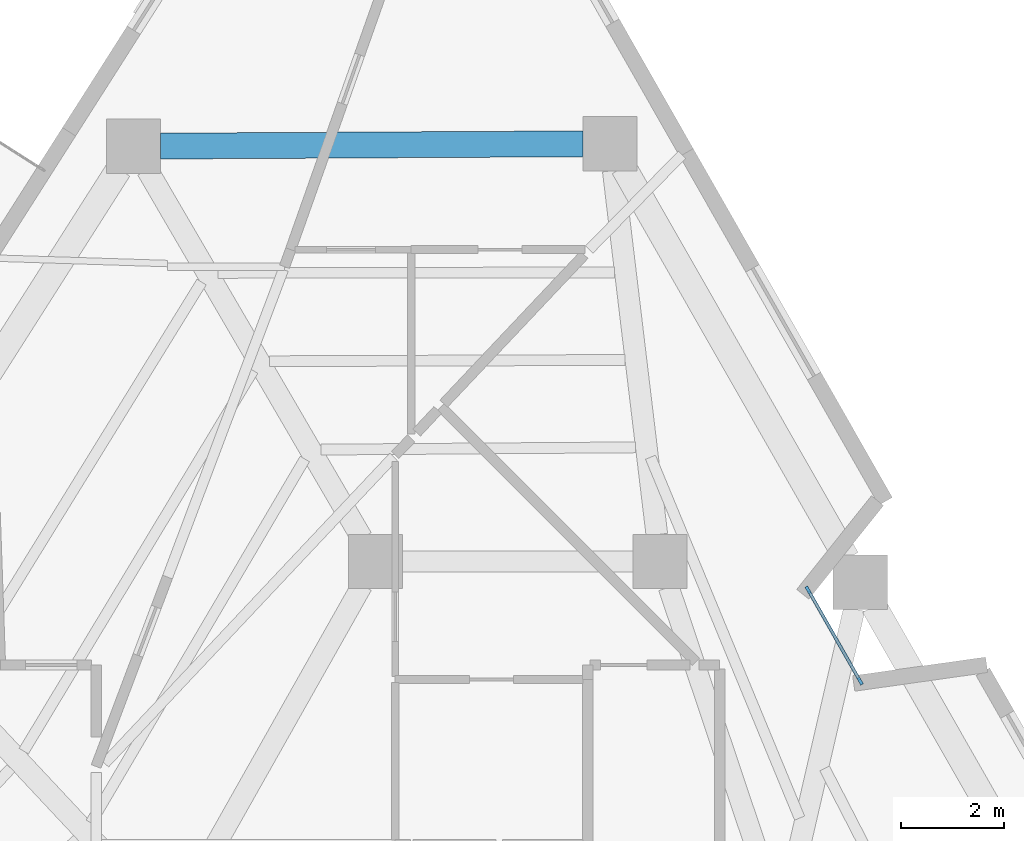
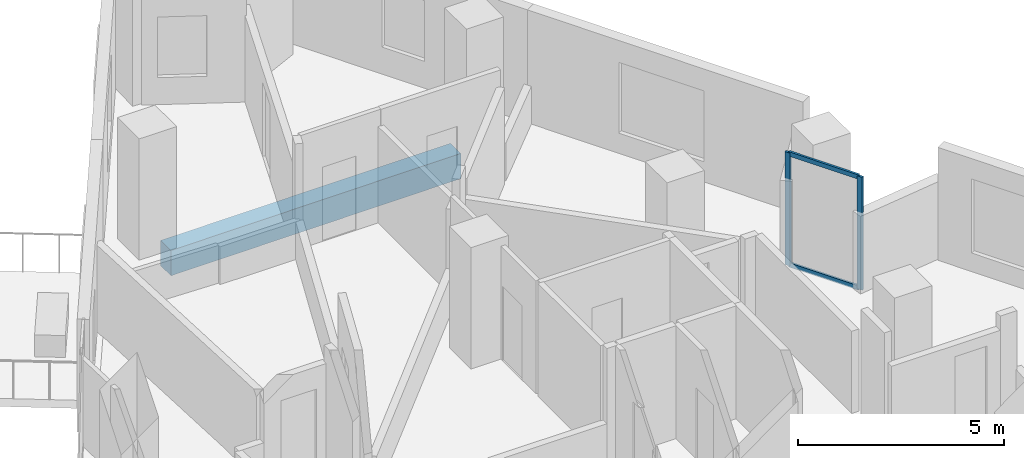
# One storey, part 4 of 11: 4 members, 1 beam, 1 element without a shape of its own.
"""IFC4 building model written with IfcOpenShell, lengths in metres."""

from ifc_helpers import new_model, si_unit, direction, frame, origin, origin_2d, place, context, subcontext, project, spatial, rectangle, extrude, material, layer, layer_set, material_profile, profile_set, type_object, element, aggregate, save


model = new_model("IFC4")

# Units and contexts
model_context = context("Model", 3, precision=1e-05, world=origin(), true_north=direction((0.0, 1.0)))
body_context = subcontext(model_context, "Body", "Model", "MODEL_VIEW")
ifc_project = project(units=[si_unit("LENGTHUNIT", "METRE"), si_unit("AREAUNIT", "SQUARE_METRE"), si_unit("VOLUMEUNIT", "CUBIC_METRE"), si_unit("PLANEANGLEUNIT", "RADIAN"), si_unit("MASSUNIT", "GRAM", prefix="KILO")], contexts=[model_context])

# Site, building, storey
site_placement = place(None, origin())
site = spatial("IfcSite", under=ifc_project, at=site_placement, CompositionType="ELEMENT")
building_placement = place(site_placement, origin())
building = spatial("IfcBuilding", under=site, at=building_placement, Name="Almagre Mirador Tower", CompositionType="ELEMENT")
storey_placement = place(building_placement, frame((0.0, 0.0, 150.0)))
storey = spatial("IfcBuildingStorey", under=building, at=storey_placement, Name="L38", CompositionType="ELEMENT", Elevation=150.0)

# Beam
ifc_material_1 = material(Name="Precast concrete C50/60", Category="concrete")
ifc_material_profile_1 = material_profile(ifc_material_1, rectangle(XDim=0.5, YDim=0.75, at=origin_2d()), Name="RC500X750")
ifc_profile_set_1 = profile_set([ifc_material_profile_1], Name="Precast concrete C50/60")
beam_type = type_object("IfcBeamType", Name="BM-SPN-RC500X750", PredefinedType="SPANDREL", material=ifc_profile_set_1)
beam_placement = place(storey_placement, frame((41.35693359375, 34.274169921875, -0.625), z_axis=(-0.999985336868, -0.005415353079, 0.0), x_axis=(0.005415353079, -0.999985336868, 0.0)))
element("IfcBeam", 1, at=beam_placement, inside=storey, type_object=beam_type, Name="L38 perimeter spandrel beam PC08-PC09", PredefinedType="SPANDREL", context=body_context, shape_type="SweptSolid", body=[
    extrude(rectangle(XDim=0.5, YDim=0.75, at=origin_2d()), origin(), (0.0, 0.0, 1.0), 8.159912109375),
])

# Curtain wall, members
ifc_material_2 = material(Name="Black anodized aluminium", Category="aluminium")
ifc_layer = layer(ifc_material_2, 0.169921875)
ifc_layer_set = layer_set([ifc_layer], Name="Black anodized aluminium")
curtain_wall_type = type_object("IfcCurtainWallType", Name="CW-CRS-SYS", PredefinedType="NOTDEFINED", material=ifc_layer_set)
curtain_wall_placement = place(storey_placement, origin())
curtain_wall = element("IfcCurtainWall", 2, at=curtain_wall_placement, inside=storey, type_object=curtain_wall_type, Name="L38 vertical crease curtain wall 03", PredefinedType="NOTDEFINED")
ifc_material_3 = material(Name="Black anodized aluminium", Category="aluminium")
ifc_material_profile_2 = material_profile(ifc_material_3, rectangle(XDim=0.06005859375, YDim=0.14990234375, at=origin_2d()), Name="CWM60X150")
ifc_profile_set_2 = profile_set([ifc_material_profile_2], Name="Black anodized aluminium")
member_type_1 = type_object("IfcMemberType", Name="MBR-CWM60X150", PredefinedType="MULLION", material=ifc_profile_set_2)
member_1_placement = place(storey_placement, frame((45.7109375, 25.65185546875, 0.0), z_axis=(0.0, 0.0, 1.0), x_axis=(0.868478613785, 0.495726635757, 0.0)))
member_1 = element("IfcMember", 3, at=member_1_placement, type_object=member_type_1, Name="CW-4 mullion 1", PredefinedType="MULLION", context=body_context, shape_type="SweptSolid", body=[
    extrude(rectangle(XDim=0.06005859375, YDim=0.14990234375, at=origin_2d()), origin(), (0.0, 0.0, 1.0), 3.35009765625),
])
member_2_placement = place(storey_placement, frame((46.717041015625, 23.88916015625, 0.0), z_axis=(0.0, 0.0, 1.0), x_axis=(0.868478613785, 0.495726635757, 0.0)))
member_2 = element("IfcMember", 4, at=member_2_placement, type_object=member_type_1, Name="CW-4 mullion 2", PredefinedType="MULLION", context=body_context, shape_type="SweptSolid", body=[
    extrude(rectangle(XDim=0.06005859375, YDim=0.14990234375, at=origin_2d()), origin(), (0.0, 0.0, 1.0), 3.35009765625),
])
ifc_material_4 = material(Name="Black anodized aluminium", Category="aluminium")
ifc_material_profile_3 = material_profile(ifc_material_4, rectangle(XDim=0.06005859375, YDim=0.1298828125, at=origin_2d()), Name="CWT60X130")
ifc_profile_set_3 = profile_set([ifc_material_profile_3], Name="Black anodized aluminium")
member_type_2 = type_object("IfcMemberType", Name="MBR-CWT60X130", PredefinedType="USERDEFINED", material=ifc_profile_set_3)
member_3_placement = place(storey_placement, frame((45.725830078125, 25.6259765625, 0.030029296875), z_axis=(0.495618319826, -0.868540431444, 0.0), x_axis=(0.868540431444, 0.495618319826, 0.0)))
member_3 = element("IfcMember", 5, at=member_3_placement, type_object=member_type_2, Name="CW-4 transom 1.1", ObjectType="TRANSOM", PredefinedType="USERDEFINED", context=body_context, shape_type="SweptSolid", body=[
    extrude(rectangle(XDim=0.06005859375, YDim=0.1298828125, at=origin_2d()), origin(), (0.0, 0.0, 1.0), 1.969970703125),
])
member_4_placement = place(storey_placement, frame((45.725830078125, 25.6259765625, 3.320068359375), z_axis=(0.495618319826, -0.868540431444, 0.0), x_axis=(0.868540431444, 0.495618319826, 0.0)))
member_4 = element("IfcMember", 6, at=member_4_placement, type_object=member_type_2, Name="CW-4 transom 1.2", ObjectType="TRANSOM", PredefinedType="USERDEFINED", context=body_context, shape_type="SweptSolid", body=[
    extrude(rectangle(XDim=0.06005859375, YDim=0.1298828125, at=origin_2d()), origin(), (0.0, 0.0, 1.0), 1.969970703125),
])
aggregate(curtain_wall, [member_1, member_2, member_3, member_4])

save(model, "model.ifc")
